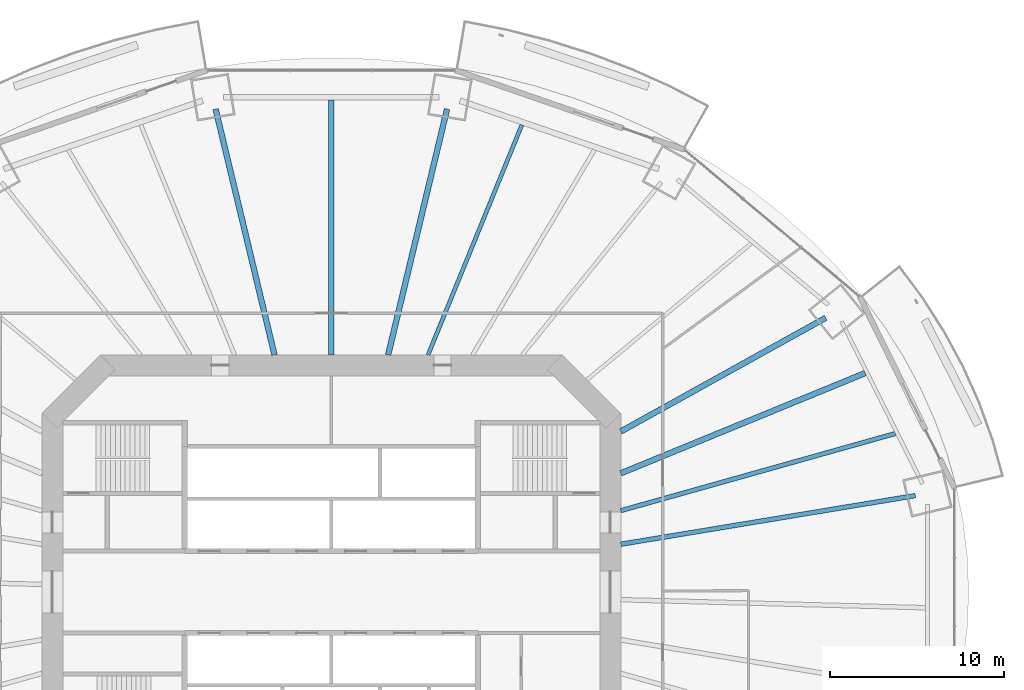
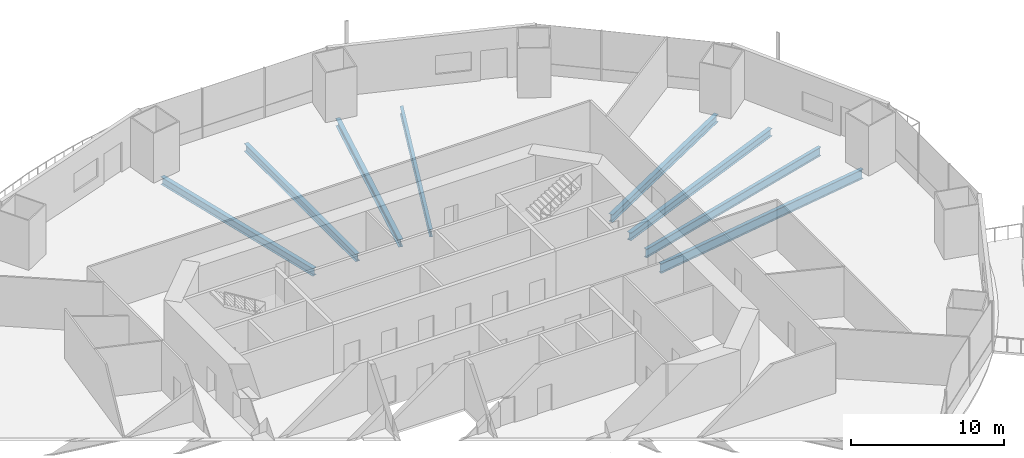
# One storey, part 8 of 23: 8 beams.
"""IFC4 building model written with IfcOpenShell, lengths in metres."""

from ifc_helpers import new_model, si_unit, direction, frame, origin, origin_2d, place, context, subcontext, project, spatial, i_section, extrude, material, material_profile, profile_set, type_object, element, save


model = new_model("IFC4")

# Units and contexts
model_context = context("Model", 3, precision=1e-05, world=origin(), true_north=direction((0.0, 1.0)))
body_context = subcontext(model_context, "Body", "Model", "MODEL_VIEW")
ifc_project = project(units=[si_unit("LENGTHUNIT", "METRE"), si_unit("AREAUNIT", "SQUARE_METRE"), si_unit("VOLUMEUNIT", "CUBIC_METRE"), si_unit("PLANEANGLEUNIT", "RADIAN"), si_unit("MASSUNIT", "GRAM", prefix="KILO")], contexts=[model_context])

# Site, building, storey
site_placement = place(None, origin())
site = spatial("IfcSite", under=ifc_project, at=site_placement, CompositionType="ELEMENT")
building_placement = place(site_placement, origin())
building = spatial("IfcBuilding", under=site, at=building_placement, Name="Marenthal Gate Tower", CompositionType="ELEMENT")
storey_placement = place(building_placement, frame((0.0, 0.0, 53.75)))
storey = spatial("IfcBuildingStorey", under=building, at=storey_placement, Name="L09", CompositionType="ELEMENT", Elevation=53.75)

# Beams
ifc_material_1 = material(Name="Steel S355", Category="steel")
ifc_material_profile_1 = material_profile(ifc_material_1, i_section(OverallWidth=0.22900390625, OverallDepth=0.612060546875, WebThickness=0.011962890625, FlangeThickness=0.01953125, FilletRadius=0.0126953125, at=origin_2d()), Name="W610X125")
ifc_profile_set_1 = profile_set([ifc_material_profile_1], Name="Steel S355")
beam_type_1 = type_object("IfcBeamType", Name="W610X125 beam", PredefinedType="BEAM", material=ifc_profile_set_1)
beam_1_placement = place(storey_placement, frame((10.927490234375, 26.7880859375, -0.486083984375), z_axis=(-0.377703578377, -0.925926566679, 0.0), x_axis=(0.925926566679, -0.377703578377, 0.0)))
element("IfcBeam", 1, at=beam_1_placement, inside=storey, type_object=beam_type_1, Name="BM-L09-21", PredefinedType="BEAM", context=body_context, shape_type="SweptSolid", body=[
    extrude(i_section(OverallWidth=0.22900390625, OverallDepth=0.612060546875, WebThickness=0.011962890625, FlangeThickness=0.01953125, FilletRadius=0.0126953125, at=origin_2d()), origin(), (0.0, 0.0, 1.0), 14.242919921875),
])
ifc_material_2 = material(Name="Steel S355", Category="steel")
ifc_material_profile_2 = material_profile(ifc_material_2, i_section(OverallWidth=0.324951171875, OverallDepth=0.612060546875, WebThickness=0.0126953125, FlangeThickness=0.01904296875, FilletRadius=0.0126953125, at=origin_2d()), Name="W610X155")
ifc_profile_set_2 = profile_set([ifc_material_profile_2], Name="Steel S355")
beam_type_2 = type_object("IfcBeamType", Name="W610X155 beam", PredefinedType="BEAM", material=ifc_profile_set_2)
beam_2_placement = place(storey_placement, frame((28.355712890625, 15.727294921875, -0.486083984375), z_axis=(-0.874492882968, -0.485038346565, 0.0), x_axis=(0.485038346565, -0.874492882968, 0.0)))
element("IfcBeam", 2, at=beam_2_placement, inside=storey, type_object=beam_type_2, Name="BM-L09-02", PredefinedType="BEAM", context=body_context, shape_type="SweptSolid", body=[
    extrude(i_section(OverallWidth=0.324951171875, OverallDepth=0.612060546875, WebThickness=0.0126953125, FlangeThickness=0.01904296875, FilletRadius=0.0126953125, at=origin_2d()), origin(), (0.0, 0.0, 1.0), 13.44287109375),
])
for number, where, z_axis, x_axis, name in (
    (3, (6.63671875, 27.6953125, -0.486083984375), (-0.233035932215, -0.97246812508, 0.0), (0.97246812508, -0.233035932215, 0.0), "BM-L09-04"),
    (4, (-6.63671875, 27.6953125, -0.486083984375), (0.233035932215, -0.97246812508, 0.0), (0.97246812508, 0.233035932215, 0.0), "BM-L09-05"),
):
    element("IfcBeam", number, at=place(storey_placement, frame(where, z_axis=z_axis, x_axis=x_axis)), inside=storey, type_object=beam_type_2, Name=name, PredefinedType="BEAM", context=body_context, shape_type="SweptSolid", body=[
        extrude(i_section(OverallWidth=0.324951171875, OverallDepth=0.612060546875, WebThickness=0.0126953125, FlangeThickness=0.01904296875, FilletRadius=0.0126953125, at=origin_2d()), origin(), (0.0, 0.0, 1.0), 14.494384765625),
    ])
beam_3_placement = place(storey_placement, frame((30.6201171875, 12.55810546875, -0.486083984375), z_axis=(-0.925210391668, -0.379454517894, 0.0), x_axis=(0.379454517894, -0.925210391668, 0.0)))
element("IfcBeam", 5, at=beam_3_placement, inside=storey, type_object=beam_type_2, Name="BM-L09-18", PredefinedType="BEAM", context=body_context, shape_type="SweptSolid", body=[
    extrude(i_section(OverallWidth=0.324951171875, OverallDepth=0.612060546875, WebThickness=0.0126953125, FlangeThickness=0.01904296875, FilletRadius=0.0126953125, at=origin_2d()), origin(), (0.0, 0.0, 1.0), 15.1533203125),
])
beam_4_placement = place(storey_placement, frame((0.0, 28.216552734375, -0.486083984375), z_axis=(0.0, -1.0, 0.0), x_axis=(1.0, 0.0, 0.0)))
element("IfcBeam", 6, at=beam_4_placement, inside=storey, type_object=beam_type_2, Name="BM-L09-22", PredefinedType="BEAM", context=body_context, shape_type="SweptSolid", body=[
    extrude(i_section(OverallWidth=0.324951171875, OverallDepth=0.612060546875, WebThickness=0.0126953125, FlangeThickness=0.01904296875, FilletRadius=0.0126953125, at=origin_2d()), origin(), (0.0, 0.0, 1.0), 14.616455078125),
])
ifc_material_3 = material(Name="Steel S355", Category="steel")
ifc_material_profile_3 = material_profile(ifc_material_3, i_section(OverallWidth=0.257080078125, OverallDepth=0.693115234375, WebThickness=0.014404296875, FlangeThickness=0.023681640625, FilletRadius=0.015380859375, at=origin_2d()), Name="W690X170")
ifc_profile_set_3 = profile_set([ifc_material_profile_3], Name="Steel S355")
beam_type_3 = type_object("IfcBeamType", Name="W690X170 beam", PredefinedType="BEAM", material=ifc_profile_set_3)
beam_5_placement = place(storey_placement, frame((32.349365234375, 9.092529296875, -0.526611328125), z_axis=(-0.962694320478, -0.27059128833, 0.0), x_axis=(0.27059128833, -0.962694320478, 0.0)))
element("IfcBeam", 7, at=beam_5_placement, inside=storey, type_object=beam_type_3, Name="BM-L09-17", PredefinedType="BEAM", context=body_context, shape_type="SweptSolid", body=[
    extrude(i_section(OverallWidth=0.257080078125, OverallDepth=0.693115234375, WebThickness=0.014404296875, FlangeThickness=0.023681640625, FilletRadius=0.015380859375, at=origin_2d()), origin(), (0.0, 0.0, 1.0), 16.359619140625),
])
ifc_material_4 = material(Name="Steel S355", Category="steel")
ifc_material_profile_4 = material_profile(ifc_material_4, i_section(OverallWidth=0.26708984375, OverallDepth=0.761962890625, WebThickness=0.014404296875, FlangeThickness=0.021484375, FilletRadius=0.0166015625, at=origin_2d()), Name="W760X173")
ifc_profile_set_4 = profile_set([ifc_material_profile_4], Name="Steel S355")
beam_type_4 = type_object("IfcBeamType", Name="W760X173 beam", PredefinedType="BEAM", material=ifc_profile_set_4)
beam_6_placement = place(storey_placement, frame((33.494384765625, 5.530517578125, -0.56103515625), z_axis=(-0.986640584699, -0.162912113192, 0.0), x_axis=(0.162912113192, -0.986640584699, 0.0)))
element("IfcBeam", 8, at=beam_6_placement, inside=storey, type_object=beam_type_4, Name="BM-L09-01", PredefinedType="BEAM", context=body_context, shape_type="SweptSolid", body=[
    extrude(i_section(OverallWidth=0.26708984375, OverallDepth=0.761962890625, WebThickness=0.014404296875, FlangeThickness=0.021484375, FilletRadius=0.0166015625, at=origin_2d()), origin(), (0.0, 0.0, 1.0), 17.123046875),
])

save(model, "model.ifc")
